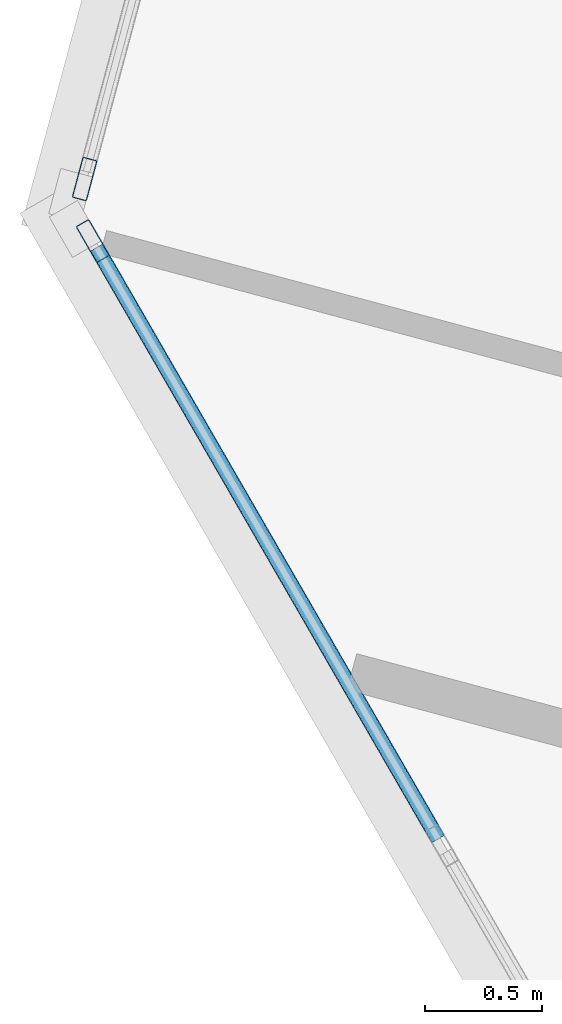
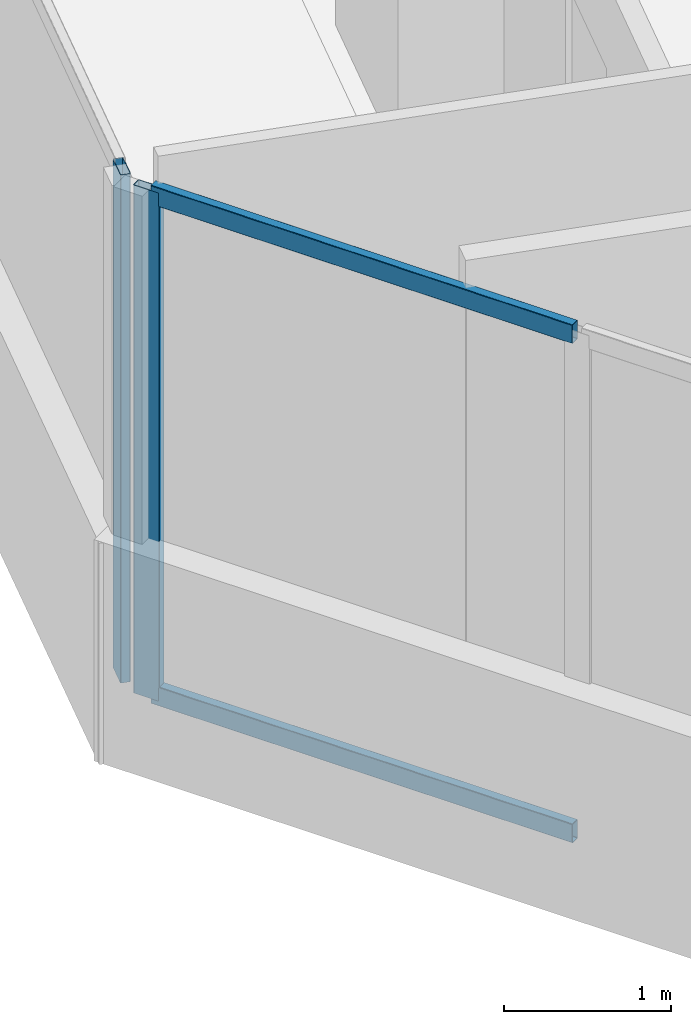
# One storey, part 3 of 26: 4 members, 2 elements without a shape of their own.
"""IFC4 building model written with IfcOpenShell, lengths in metres."""

from ifc_helpers import new_model, si_unit, direction, frame, origin, origin_2d, place, context, subcontext, project, spatial, hollow_rectangle, extrude, source, transform, mapped, material, material_profile, profile_set, type_object, element, aggregate, save


model = new_model("IFC4")

# Units and contexts
model_context = context("Model", 3, precision=1e-05, world=origin(), true_north=direction((0.0, 1.0)))
body_context = subcontext(model_context, "Body", "Model", "MODEL_VIEW")
ifc_project = project(units=[si_unit("LENGTHUNIT", "METRE"), si_unit("AREAUNIT", "SQUARE_METRE"), si_unit("VOLUMEUNIT", "CUBIC_METRE"), si_unit("PLANEANGLEUNIT", "RADIAN"), si_unit("MASSUNIT", "GRAM", prefix="KILO")], contexts=[model_context])

# Site, building, storey
site_placement = place(None, origin())
site = spatial("IfcSite", under=ifc_project, at=site_placement, CompositionType="ELEMENT")
building_placement = place(site_placement, origin())
building = spatial("IfcBuilding", under=site, at=building_placement, Name="Torre Montelarca", CompositionType="ELEMENT")
storey_placement = place(building_placement, frame((0.0, 0.0, 100.0)))
storey = spatial("IfcBuildingStorey", under=building, at=storey_placement, Name="L22", CompositionType="ELEMENT", Elevation=100.0)

# Curtain wall, members
ifc_material_1 = material(Name="Insulated low-E laminated glass", Category="glass")
curtain_wall_type = type_object("IfcCurtainWallType", Name="CW-SYS-Z1", PredefinedType="USERDEFINED", material=ifc_material_1)
curtain_wall_1_placement = place(storey_placement, origin())
curtain_wall_1 = element("IfcCurtainWall", 1, at=curtain_wall_1_placement, inside=storey, type_object=curtain_wall_type, Name="L22 Curtain Wall Run CW-T3-L22-E11-B1", ObjectType="UNITISED GLAZING", PredefinedType="USERDEFINED")
ifc_material_2 = material(Name="Anodised aluminium AA 6063-T6", Category="aluminium")
ifc_material_profile_1 = material_profile(ifc_material_2, hollow_rectangle(XDim=0.06494140625, YDim=0.139892578125, WallThickness=0.00390625, InnerFilletRadius=0.00390625, OuterFilletRadius=0.008056640625, at=origin_2d()), Name="ALU65X140X4", Category="aluminium")
ifc_profile_set_1 = profile_set([ifc_material_profile_1], Name="Anodised aluminium AA 6063-T6")
member_type_1 = type_object("IfcMemberType", Name="CWT-ALU140", PredefinedType="USERDEFINED", material=ifc_profile_set_1)
shared_shape_1 = source(origin(), body_context, "Body", "SweptSolid", [
    extrude(hollow_rectangle(XDim=0.06494140625, YDim=0.139892578125, WallThickness=0.00390625, InnerFilletRadius=0.00390625, OuterFilletRadius=0.008056640625, at=origin_2d()), origin(), (0.0, 0.0, 1.0), 2.91845703125),
])
member_1_placement = place(storey_placement, frame((-1.8125, 23.989501953125, 0.032470703125), z_axis=(0.499980718146, -0.866036535882, 0.0), x_axis=(0.866036535882, 0.499980718146, 0.0)))
member_1 = element("IfcMember", 2, at=member_1_placement, type_object=member_type_1, Name="CW transom 1.1", ObjectType="TRANSOM", PredefinedType="USERDEFINED", context=body_context, shape_type="MappedRepresentation", body=[
    mapped(shared_shape_1, transform((0.0, 0.0, 0.0), scale=1.0)),
])
member_2_placement = place(storey_placement, frame((-1.8125, 23.989501953125, 3.6875), z_axis=(0.499980718146, -0.866036535882, 0.0), x_axis=(0.866036535882, 0.499980718146, 0.0)))
member_2 = element("IfcMember", 3, at=member_2_placement, type_object=member_type_1, Name="CW transom 1.2", ObjectType="TRANSOM", PredefinedType="USERDEFINED", context=body_context, shape_type="MappedRepresentation", body=[
    mapped(shared_shape_1, transform((0.0, 0.0, 0.0), scale=1.0)),
])

# Curtain wall, member
curtain_wall_2_placement = place(storey_placement, origin())
curtain_wall_2 = element("IfcCurtainWall", 4, at=curtain_wall_2_placement, inside=storey, type_object=curtain_wall_type, Name="L22 Curtain Wall Run CW-T3-L22-E10-B1", ObjectType="UNITISED GLAZING", PredefinedType="USERDEFINED")
ifc_material_profile_2 = material_profile(ifc_material_2, hollow_rectangle(XDim=0.06494140625, YDim=0.179931640625, WallThickness=0.00390625, InnerFilletRadius=0.00390625, OuterFilletRadius=0.008056640625, at=origin_2d()), Name="ALU65X180X4", Category="aluminium")
ifc_profile_set_2 = profile_set([ifc_material_profile_2], Name="Anodised aluminium AA 6063-T6")
member_type_2 = type_object("IfcMemberType", Name="CWM-ALU180", PredefinedType="MULLION", material=ifc_profile_set_2)
shared_shape_2 = source(origin(), body_context, "Body", "SweptSolid", [
    extrude(hollow_rectangle(XDim=0.06494140625, YDim=0.179931640625, WallThickness=0.00390625, InnerFilletRadius=0.00390625, OuterFilletRadius=0.008056640625, at=origin_2d()), origin(), (0.0, 0.0, 1.0), 3.719970703125),
])
member_3_placement = place(storey_placement, frame((-1.863525390625, 24.282470703125, 0.0), z_axis=(0.0, 0.0, 1.0), x_axis=(0.965926043153, -0.258818235755, 0.0)))
member_3 = element("IfcMember", 5, at=member_3_placement, type_object=member_type_2, Name="CW mullion 3", PredefinedType="MULLION", context=body_context, shape_type="MappedRepresentation", body=[
    mapped(shared_shape_2, transform((0.0, 0.0, 0.0), scale=1.0)),
])
aggregate(curtain_wall_2, [member_3])

# Member
member_4_placement = place(storey_placement, frame((-1.828857421875, 24.017578125, 0.0), z_axis=(0.0, 0.0, 1.0), x_axis=(0.866024921148, 0.50000083595, 0.0)))
member_4 = element("IfcMember", 6, at=member_4_placement, type_object=member_type_2, Name="CW mullion 1", PredefinedType="MULLION", context=body_context, shape_type="MappedRepresentation", body=[
    mapped(shared_shape_2, transform((0.0, 0.0, 0.0), scale=1.0)),
])

aggregate(curtain_wall_1, [member_4, member_1, member_2])

save(model, "model.ifc")
